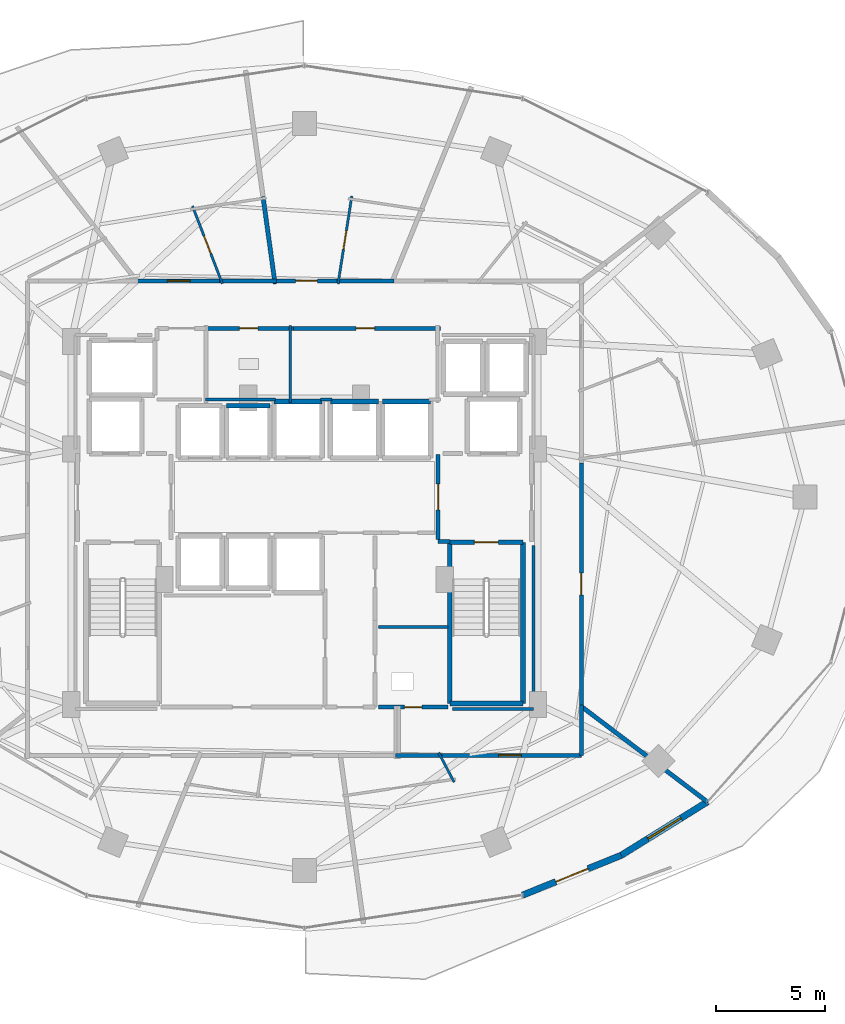
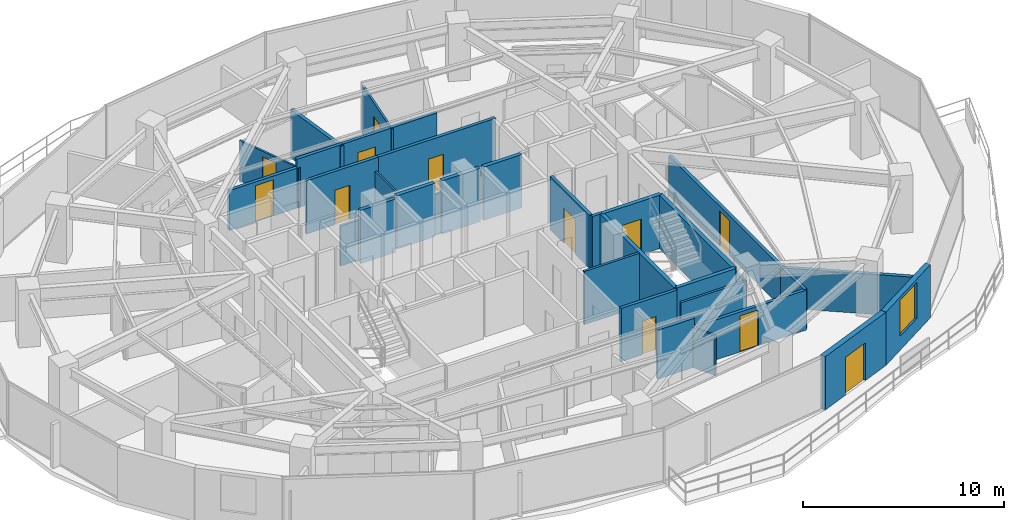
# One storey, part 24 of 30: 34 walls, 12 doors, 1 window, 13 openings.
"""IFC4 building model written with IfcOpenShell, lengths in metres."""

from ifc_helpers import new_model, si_unit, direction, frame, frame_2d, origin, place, context, subcontext, project, spatial, rectangle, extrude, material, layer, layer_set, type_object, element, fill, save


model = new_model("IFC4")

# Units and contexts
model_context = context("Model", 3, precision=1e-05, world=origin(), true_north=direction((0.0, 1.0)))
body_context = subcontext(model_context, "Body", "Model", "MODEL_VIEW")
ifc_project = project(units=[si_unit("LENGTHUNIT", "METRE"), si_unit("AREAUNIT", "SQUARE_METRE"), si_unit("VOLUMEUNIT", "CUBIC_METRE"), si_unit("PLANEANGLEUNIT", "RADIAN"), si_unit("MASSUNIT", "GRAM", prefix="KILO")], contexts=[model_context])

# Site, building, storey
site_placement = place(None, origin())
site = spatial("IfcSite", under=ifc_project, at=site_placement, CompositionType="ELEMENT")
building_placement = place(site_placement, origin())
building = spatial("IfcBuilding", under=site, at=building_placement, Name="Vorneva Point Tower", CompositionType="ELEMENT")
storey_placement = place(building_placement, frame((0.0, 0.0, 92.800048828125)))
storey = spatial("IfcBuildingStorey", under=building, at=storey_placement, Name="L24", CompositionType="ELEMENT", Elevation=92.800048828125)

# Wall, opening, door
ifc_material_1 = material(Name="Precast concrete B50 (C40/50)", Category="concrete")
ifc_layer_1 = layer(ifc_material_1, 0.300048828125)
ifc_layer_set_1 = layer_set([ifc_layer_1], Name="Precast concrete B50 (C40/50)")
wall_type_1 = type_object("IfcWallType", Name="WL-EXT-300", PredefinedType="STANDARD", material=ifc_layer_set_1)
wall_1_placement = place(storey_placement, frame((48.04541015625, 7.660888671875, 0.0), z_axis=(0.0, 0.0, 1.0), x_axis=(0.927122233109, 0.374759075775, 0.0)))
wall_1 = element("IfcWall", 1, at=wall_1_placement, inside=storey, type_object=wall_type_1, Name="L24 Pale-Metal Facade Spandrel Wall 14.1", PredefinedType="STANDARD", context=body_context, shape_type="SweptSolid", body=[
    extrude(rectangle(XDim=4.89501953125, YDim=0.300048828125, at=frame_2d((2.447509765625, 0.0))), origin(), (0.0, 0.0, 1.0), 3.239990234375),
])
opening_1_placement = place(wall_1_placement, frame((1.6474609375, 0.0, 0.0)))
opening_1 = element("IfcOpeningElement", 2, at=opening_1_placement, cuts=wall_1, Name="Opening BD-01", PredefinedType="OPENING", context=body_context, shape_type="SweptSolid", body=[
    extrude(rectangle(XDim=1.60009765625, YDim=2.300048828125, at=frame_2d((0.800048828125, 1.14990234375))), frame((0.0, 0.1650390625, 0.0), z_axis=(0.0, -1.0, 0.0), x_axis=(1.0, 0.0, 0.0)), (0.0, 0.0, 1.0), 0.329833984375),
])
ifc_material_2 = material(Name="Pale anodised aluminium", Category="aluminium")
door_type_1 = type_object("IfcDoorType", Name="DR-BAL-1600", OperationType="SLIDING_TO_LEFT", PredefinedType="DOOR", material=ifc_material_2)
door_1_placement = place(opening_1_placement, origin())
door_1 = element("IfcDoor", 3, at=door_1_placement, inside=storey, type_object=door_type_1, Name="L24 Balcony Terrace Access Door 14", OperationType="SLIDING_TO_LEFT", OverallHeight=2.300048828125, OverallWidth=1.60009765625, PredefinedType="DOOR", context=body_context, shape_type="SweptSolid", body=[
    extrude(rectangle(XDim=1.60009765625, YDim=2.300048828125, at=frame_2d((0.800048828125, 1.14990234375))), frame((0.0, 0.02490234375, 0.0), z_axis=(0.0, -1.0, 0.0), x_axis=(1.0, 0.0, 0.0)), (0.0, 0.0, 1.0), 0.050048828125),
])
fill(opening_1, door_1)

# Wall, opening, window
wall_2_placement = place(storey_placement, frame((52.583740234375, 9.495361328125, 0.0), z_axis=(0.0, 0.0, 1.0), x_axis=(0.849684479743, 0.527291461038, 0.0)))
wall_2 = element("IfcWall", 4, at=wall_2_placement, inside=storey, type_object=wall_type_1, Name="L24 Pale-Metal Facade Spandrel Wall 14.2", PredefinedType="STANDARD", context=body_context, shape_type="SweptSolid", body=[
    extrude(rectangle(XDim=4.681396484375, YDim=0.300048828125, at=frame_2d((2.3408203125, 0.0))), origin(), (0.0, 0.0, 1.0), 3.239990234375),
])
opening_2_placement = place(wall_2_placement, frame((1.44091796875, 0.0, 0.85009765625)))
opening_2 = element("IfcOpeningElement", 5, at=opening_2_placement, cuts=wall_2, Name="Opening W-01", PredefinedType="OPENING", context=body_context, shape_type="SweptSolid", body=[
    extrude(rectangle(XDim=1.800048828125, YDim=2.18994140625, at=frame_2d((0.89990234375, 1.094970703125))), frame((0.0, 0.1650390625, 0.0), z_axis=(0.0, -1.0, 0.0), x_axis=(1.0, 0.0, 0.0)), (0.0, 0.0, 1.0), 0.329833984375),
])
ifc_material_3 = material(Name="Double low-e laminated glass IGU", Category="glass")
window_type = type_object("IfcWindowType", Name="WN-LOG-1800", PartitioningType="SINGLE_PANEL", PredefinedType="WINDOW", material=ifc_material_3)
window_placement = place(opening_2_placement, origin())
window = element("IfcWindow", 6, at=window_placement, inside=storey, type_object=window_type, Name="L24 Facade Window 14", OverallHeight=2.18994140625, OverallWidth=1.800048828125, PartitioningType="SINGLE_PANEL", PredefinedType="WINDOW", context=body_context, shape_type="SweptSolid", body=[
    extrude(rectangle(XDim=1.800048828125, YDim=2.18994140625, at=frame_2d((0.89990234375, 1.094970703125))), frame((0.0, 0.030029296875, 0.0), z_axis=(0.0, -1.0, 0.0), x_axis=(1.0, 0.0, 0.0)), (0.0, 0.0, 1.0), 0.06005859375),
])
fill(opening_2, window)

# Wall
ifc_material_4 = material(Name="Fire-rated acoustic gypsum stud partition", Category="gypsum")
ifc_layer_2 = layer(ifc_material_4, 0.110107421875)
ifc_layer_set_2 = layer_set([ifc_layer_2], Name="Fire-rated acoustic gypsum stud partition")
wall_type_2 = type_object("IfcWallType", Name="WL-PART-110", PredefinedType="PARTITIONING", material=ifc_layer_set_2)
wall_3_placement = place(storey_placement, frame((37.35009765625, 30.340087890625, 0.0), z_axis=(0.0, 0.0, 1.0), x_axis=(0.0, 1.0, 0.0)))
element("IfcWall", 7, at=wall_3_placement, inside=storey, type_object=wall_type_2, Name="L24 Interior Partition 017", PredefinedType="PARTITIONING", context=body_context, shape_type="SweptSolid", body=[
    extrude(rectangle(XDim=3.559814453125, YDim=0.110107421875, at=frame_2d((1.77978515625, 0.0))), origin(), (0.0, 0.0, 1.0), 2.431884765625),
])

# Wall, opening, door
wall_4_placement = place(storey_placement, frame((39.542236328125, 35.811767578125, 0.0), z_axis=(0.0, 0.0, 1.0), x_axis=(0.155211191462, 0.98788131172, 0.0)))
wall_4 = element("IfcWall", 8, at=wall_4_placement, inside=storey, type_object=wall_type_2, Name="L24 Interior Partition 060", PredefinedType="PARTITIONING", context=body_context, shape_type="SweptSolid", body=[
    extrude(rectangle(XDim=4.088134765625, YDim=0.110107421875, at=frame_2d((2.0439453125, 0.0))), origin(), (0.0, 0.0, 1.0), 2.921875),
])
opening_3_placement = place(wall_4_placement, frame((1.619140625, 0.0, 0.0)))
opening_3 = element("IfcOpeningElement", 9, at=opening_3_placement, cuts=wall_4, Name="Opening ID-02", PredefinedType="OPENING", context=body_context, shape_type="SweptSolid", body=[
    extrude(rectangle(XDim=0.85009765625, YDim=2.10009765625, at=frame_2d((0.425048828125, 1.050048828125))), frame((0.0, 0.06982421875, 0.0), z_axis=(0.0, -1.0, 0.0), x_axis=(1.0, 0.0, 0.0)), (0.0, 0.0, 1.0), 0.139892578125),
])
ifc_material_5 = material(Name="Engineered oak fire-rated door leaf", Category="wood")
door_type_2 = type_object("IfcDoorType", Name="DR-BATH-850", OperationType="NOTDEFINED", PredefinedType="DOOR", material=ifc_material_5)
door_2_placement = place(opening_3_placement, origin())
door_2 = element("IfcDoor", 10, at=door_2_placement, inside=storey, type_object=door_type_2, Name="L24 Door Twin Guest Room L24-03 / En-Suite Bathroom L24-03", OperationType="SINGLE_SWING_RIGHT", OverallHeight=2.10009765625, OverallWidth=0.85009765625, PredefinedType="DOOR", context=body_context, shape_type="SweptSolid", body=[
    extrude(rectangle(XDim=0.85009765625, YDim=2.10009765625, at=frame_2d((0.425048828125, 1.050048828125))), frame((0.0, 0.02490234375, 0.0), z_axis=(0.0, -1.0, 0.0), x_axis=(1.0, 0.0, 0.0)), (0.0, 0.0, 1.0), 0.050048828125),
])
fill(opening_3, door_2)

wall_5_placement = place(storey_placement, frame((34.21630859375, 35.8193359375, 0.0), z_axis=(0.0, 0.0, 1.0), x_axis=(-0.359516562862, 0.933138704067, 0.0)))
wall_5 = element("IfcWall", 11, at=wall_5_placement, inside=storey, type_object=wall_type_2, Name="L24 Interior Partition 063", PredefinedType="PARTITIONING", context=body_context, shape_type="SweptSolid", body=[
    extrude(rectangle(XDim=3.834716796875, YDim=0.110107421875, at=frame_2d((1.91748046875, 0.0))), origin(), (0.0, 0.0, 1.0), 2.431884765625),
])
opening_4_placement = place(wall_5_placement, frame((1.4921875, 0.0, 0.0)))
opening_4 = element("IfcOpeningElement", 12, at=opening_4_placement, cuts=wall_5, Name="Opening ID-02", PredefinedType="OPENING", context=body_context, shape_type="SweptSolid", body=[
    extrude(rectangle(XDim=0.85009765625, YDim=2.10009765625, at=frame_2d((0.425048828125, 1.050048828125))), frame((0.0, 0.06982421875, 0.0), z_axis=(0.0, -1.0, 0.0), x_axis=(1.0, 0.0, 0.0)), (0.0, 0.0, 1.0), 0.139892578125),
])
door_3_placement = place(opening_4_placement, origin())
door_3 = element("IfcDoor", 13, at=door_3_placement, inside=storey, type_object=door_type_2, Name="L24 Door Junior Suite L24-04 / En-Suite Bathroom L24-04", OperationType="SINGLE_SWING_LEFT", OverallHeight=2.10009765625, OverallWidth=0.85009765625, PredefinedType="DOOR", context=body_context, shape_type="SweptSolid", body=[
    extrude(rectangle(XDim=0.85009765625, YDim=2.10009765625, at=frame_2d((0.425048828125, 1.050048828125))), frame((0.0, 0.02490234375, 0.0), z_axis=(0.0, -1.0, 0.0), x_axis=(1.0, 0.0, 0.0)), (0.0, 0.0, 1.0), 0.050048828125),
])
fill(opening_4, door_3)

# Walls
wall_6_placement = place(storey_placement, frame((44.176025390625, 14.22412109375, 0.0), z_axis=(0.0, 0.0, 1.0), x_axis=(0.464262791375, -0.885697499457, 0.0)))
element("IfcWall", 14, at=wall_6_placement, inside=storey, type_object=wall_type_2, Name="L24 Interior Partition 084", PredefinedType="PARTITIONING", context=body_context, shape_type="SweptSolid", body=[
    extrude(rectangle(XDim=1.533447265625, YDim=0.110107421875, at=frame_2d((0.7666015625, 0.0))), origin(), (0.0, 0.0, 1.0), 2.431884765625),
])
ifc_layer_3 = layer(ifc_material_4, 0.139892578125)
ifc_layer_set_3 = layer_set([ifc_layer_3], Name="Fire-rated acoustic gypsum stud partition")
wall_type_3 = type_object("IfcWallType", Name="WL-PART-140", PredefinedType="PARTITIONING", material=ifc_layer_set_3)
wall_7_placement = place(storey_placement, frame((44.60009765625, 20.0, 0.0), z_axis=(0.0, 0.0, 1.0), x_axis=(-1.0, 0.0, 0.0)))
element("IfcWall", 15, at=wall_7_placement, inside=storey, type_object=wall_type_3, Name="L24 Interior Partition 015", PredefinedType="PARTITIONING", context=body_context, shape_type="SweptSolid", body=[
    extrude(rectangle(XDim=3.2001953125, YDim=0.139892578125, at=frame_2d((1.60009765625, 0.0))), origin(), (0.0, 0.0, 1.0), 3.239990234375),
])
wall_8_placement = place(storey_placement, frame((33.43994140625, 30.47998046875, 0.0), z_axis=(0.0, 0.0, 1.0), x_axis=(1.0, 0.0, 0.0)))
element("IfcWall", 16, at=wall_8_placement, inside=storey, type_object=wall_type_3, Name="L24 Interior Closure Partition 089", PredefinedType="PARTITIONING", context=body_context, shape_type="SweptSolid", body=[
    extrude(rectangle(XDim=3.22509765625, YDim=0.139892578125, at=frame_2d((1.612548828125, 0.0))), origin(), (0.0, 0.0, 1.0), 2.431884765625),
])
wall_9_placement = place(storey_placement, frame((38.735107421875, 30.47998046875, 0.0), z_axis=(0.0, 0.0, 1.0), x_axis=(1.0, 0.0, 0.0)))
element("IfcWall", 17, at=wall_9_placement, inside=storey, type_object=wall_type_3, Name="L24 Interior Closure Partition 090", PredefinedType="PARTITIONING", context=body_context, shape_type="SweptSolid", body=[
    extrude(rectangle(XDim=0.52978515625, YDim=0.139892578125, at=frame_2d((0.264892578125, 0.0))), origin(), (0.0, 0.0, 1.0), 2.431884765625),
])
wall_10_placement = place(storey_placement, frame((48.550048828125, 23.75390625, 0.0), z_axis=(0.0, 0.0, 1.0), x_axis=(0.0, -1.0, 0.0)))
element("IfcWall", 18, at=wall_10_placement, inside=storey, type_object=wall_type_3, Name="L24 Interior Closure Partition 096", PredefinedType="PARTITIONING", context=body_context, shape_type="SweptSolid", body=[
    extrude(rectangle(XDim=7.513916015625, YDim=0.139892578125, at=frame_2d((3.7568359375, 0.0))), origin(), (0.0, 0.0, 1.0), 2.431884765625),
])
wall_11_placement = place(storey_placement, frame((48.550048828125, 16.239990234375, 0.0), z_axis=(0.0, 0.0, 1.0), x_axis=(-1.0, 0.0, 0.0)))
element("IfcWall", 19, at=wall_11_placement, inside=storey, type_object=wall_type_3, Name="L24 Interior Closure Partition 097", PredefinedType="PARTITIONING", context=body_context, shape_type="SweptSolid", body=[
    extrude(rectangle(XDim=3.7451171875, YDim=0.139892578125, at=frame_2d((1.87255859375, 0.0))), origin(), (0.0, 0.0, 1.0), 2.431884765625),
])

# Wall, opening, door
ifc_material_6 = material(Name="Autoclaved aerated concrete blockwork", Category="masonry")
ifc_layer_4 = layer(ifc_material_6, 0.179931640625)
ifc_layer_set_4 = layer_set([ifc_layer_4], Name="Autoclaved aerated concrete blockwork")
wall_type_4 = type_object("IfcWallType", Name="WL-PART-180", PredefinedType="PARTITIONING", material=ifc_layer_set_4)
wall_12_placement = place(storey_placement, frame((44.14990234375, 27.955078125, 0.0), z_axis=(0.0, 0.0, 1.0), x_axis=(0.0, -1.0, 0.0)))
wall_12 = element("IfcWall", 20, at=wall_12_placement, inside=storey, type_object=wall_type_4, Name="L24 Interior Partition 003", PredefinedType="PARTITIONING", context=body_context, shape_type="SweptSolid", body=[
    extrude(rectangle(XDim=3.91015625, YDim=0.179931640625, at=frame_2d((1.955078125, 0.0))), origin(), (0.0, 0.0, 1.0), 3.239990234375),
])
opening_5_placement = place(wall_12_placement, frame((1.35498046875, 0.0, 0.0)))
opening_5 = element("IfcOpeningElement", 21, at=opening_5_placement, cuts=wall_12, Name="Opening FD-02", PredefinedType="OPENING", context=body_context, shape_type="SweptSolid", body=[
    extrude(rectangle(XDim=1.199951171875, YDim=2.14990234375, at=frame_2d((0.60009765625, 1.074951171875))), frame((0.0, 0.10498046875, 0.0), z_axis=(0.0, -1.0, 0.0), x_axis=(1.0, 0.0, 0.0)), (0.0, 0.0, 1.0), 0.209716796875),
])
ifc_material_7 = material(Name="Fire-rated powder-coated steel", Category="steel")
door_type_3 = type_object("IfcDoorType", Name="DR-FFL-1200", OperationType="NOTDEFINED", PredefinedType="DOOR", material=ifc_material_7)
door_4_placement = place(opening_5_placement, origin())
door_4 = element("IfcDoor", 22, at=door_4_placement, inside=storey, type_object=door_type_3, Name="L24 Door East Firefighting Lobby / Central Lift Lobby", OperationType="SINGLE_SWING_LEFT", OverallHeight=2.14990234375, OverallWidth=1.199951171875, PredefinedType="DOOR", context=body_context, shape_type="SweptSolid", body=[
    extrude(rectangle(XDim=1.199951171875, YDim=2.14990234375, at=frame_2d((0.60009765625, 1.074951171875))), frame((0.0, 0.02490234375, 0.0), z_axis=(0.0, -1.0, 0.0), x_axis=(1.0, 0.0, 0.0)), (0.0, 0.0, 1.0), 0.050048828125),
])
fill(opening_5, door_4)

# Wall
wall_13_placement = place(storey_placement, frame((44.14990234375, 23.949951171875, 0.0), z_axis=(0.0, 0.0, 1.0), x_axis=(1.0, 0.0, 0.0)))
element("IfcWall", 23, at=wall_13_placement, inside=storey, type_object=wall_type_4, Name="L24 Interior Partition 004", PredefinedType="PARTITIONING", context=body_context, shape_type="SweptSolid", body=[
    extrude(rectangle(XDim=0.5400390625, YDim=0.179931640625, at=frame_2d((0.27001953125, 0.0))), origin(), (0.0, 0.0, 1.0), 3.239990234375),
])

# Wall, opening, door
wall_14_placement = place(storey_placement, frame((41.39990234375, 16.320068359375, 0.0), z_axis=(0.0, 0.0, 1.0), x_axis=(1.0, 0.0, 0.0)))
wall_14 = element("IfcWall", 24, at=wall_14_placement, inside=storey, type_object=wall_type_4, Name="L24 Interior Partition 016", PredefinedType="PARTITIONING", context=body_context, shape_type="SweptSolid", body=[
    extrude(rectangle(XDim=3.2001953125, YDim=0.179931640625, at=frame_2d((1.60009765625, 0.0))), origin(), (0.0, 0.0, 1.0), 3.239990234375),
])
opening_6_placement = place(wall_14_placement, frame((1.199951171875, 0.0, 0.0)))
opening_6 = element("IfcOpeningElement", 25, at=opening_6_placement, cuts=wall_14, Name="Opening RD-01", PredefinedType="OPENING", context=body_context, shape_type="SweptSolid", body=[
    extrude(rectangle(XDim=0.800048828125, YDim=2.050048828125, at=frame_2d((0.39990234375, 1.02490234375))), frame((0.0, 0.10498046875, 0.0), z_axis=(0.0, -1.0, 0.0), x_axis=(1.0, 0.0, 0.0)), (0.0, 0.0, 1.0), 0.209716796875),
])
door_type_4 = type_object("IfcDoorType", Name="DR-RSR-800", OperationType="SINGLE_SWING_LEFT", PredefinedType="DOOR", material=ifc_material_7)
door_5_placement = place(opening_6_placement, origin())
door_5 = element("IfcDoor", 26, at=door_5_placement, inside=storey, type_object=door_type_4, Name="L24 Door Electrical Riser / L24 Circulation Corridor", OperationType="SINGLE_SWING_RIGHT", OverallHeight=2.050048828125, OverallWidth=0.800048828125, PredefinedType="DOOR", context=body_context, shape_type="SweptSolid", body=[
    extrude(rectangle(XDim=0.800048828125, YDim=2.050048828125, at=frame_2d((0.39990234375, 1.02490234375))), frame((0.0, 0.02490234375, 0.0), z_axis=(0.0, -1.0, 0.0), x_axis=(1.0, 0.0, 0.0)), (0.0, 0.0, 1.0), 0.050048828125),
])
fill(opening_6, door_5)

wall_15_placement = place(storey_placement, frame((37.489990234375, 33.760009765625, 0.0), z_axis=(0.0, 0.0, 1.0), x_axis=(-1.0, 0.0, 0.0)))
wall_15 = element("IfcWall", 27, at=wall_15_placement, inside=storey, type_object=wall_type_4, Name="L24 Interior Partition 018", PredefinedType="PARTITIONING", context=body_context, shape_type="SweptSolid", body=[
    extrude(rectangle(XDim=4.1298828125, YDim=0.179931640625, at=frame_2d((2.06494140625, 0.0))), origin(), (0.0, 0.0, 1.0), 3.239990234375),
])
opening_7_placement = place(wall_15_placement, frame((1.639892578125, 0.0, 0.0)))
opening_7 = element("IfcOpeningElement", 28, at=opening_7_placement, cuts=wall_15, Name="Opening ID-02", PredefinedType="OPENING", context=body_context, shape_type="SweptSolid", body=[
    extrude(rectangle(XDim=0.85009765625, YDim=2.10009765625, at=frame_2d((0.425048828125, 1.050048828125))), frame((0.0, 0.10498046875, 0.0), z_axis=(0.0, -1.0, 0.0), x_axis=(1.0, 0.0, 0.0)), (0.0, 0.0, 1.0), 0.209716796875),
])
door_6_placement = place(opening_7_placement, origin())
door_6 = element("IfcDoor", 29, at=door_6_placement, inside=storey, type_object=door_type_2, Name="L24 Door Accessible WC / L24 Circulation Corridor", OperationType="SINGLE_SWING_LEFT", OverallHeight=2.10009765625, OverallWidth=0.85009765625, PredefinedType="DOOR", context=body_context, shape_type="SweptSolid", body=[
    extrude(rectangle(XDim=0.85009765625, YDim=2.10009765625, at=frame_2d((0.425048828125, 1.050048828125))), frame((0.0, 0.02490234375, 0.0), z_axis=(0.0, -1.0, 0.0), x_axis=(1.0, 0.0, 0.0)), (0.0, 0.0, 1.0), 0.050048828125),
])
fill(opening_7, door_6)

wall_16_placement = place(storey_placement, frame((44.260009765625, 33.760009765625, 0.0), z_axis=(0.0, 0.0, 1.0), x_axis=(-1.0, 0.0, 0.0)))
wall_16 = element("IfcWall", 30, at=wall_16_placement, inside=storey, type_object=wall_type_4, Name="L24 Interior Partition 019", PredefinedType="PARTITIONING", context=body_context, shape_type="SweptSolid", body=[
    extrude(rectangle(XDim=6.909912109375, YDim=0.179931640625, at=frame_2d((3.455078125, 0.0))), origin(), (0.0, 0.0, 1.0), 3.239990234375),
])
opening_8_placement = place(wall_16_placement, frame((3.030029296875, 0.0, 0.0)))
opening_8 = element("IfcOpeningElement", 31, at=opening_8_placement, cuts=wall_16, Name="Opening ID-02", PredefinedType="OPENING", context=body_context, shape_type="SweptSolid", body=[
    extrude(rectangle(XDim=0.85009765625, YDim=2.10009765625, at=frame_2d((0.425048828125, 1.050048828125))), frame((0.0, 0.10498046875, 0.0), z_axis=(0.0, -1.0, 0.0), x_axis=(1.0, 0.0, 0.0)), (0.0, 0.0, 1.0), 0.209716796875),
])
door_7_placement = place(opening_8_placement, origin())
door_7 = element("IfcDoor", 32, at=door_7_placement, inside=storey, type_object=door_type_2, Name="L24 Door Public Restroom / L24 Circulation Corridor", OperationType="SINGLE_SWING_RIGHT", OverallHeight=2.10009765625, OverallWidth=0.85009765625, PredefinedType="DOOR", context=body_context, shape_type="SweptSolid", body=[
    extrude(rectangle(XDim=0.85009765625, YDim=2.10009765625, at=frame_2d((0.425048828125, 1.050048828125))), frame((0.0, 0.02490234375, 0.0), z_axis=(0.0, -1.0, 0.0), x_axis=(1.0, 0.0, 0.0)), (0.0, 0.0, 1.0), 0.050048828125),
])
fill(opening_8, door_7)

wall_17_placement = place(storey_placement, frame((39.625, 35.949951171875, 0.0), z_axis=(0.0, 0.0, 1.0), x_axis=(-1.0, 0.0, 0.0)))
wall_17 = element("IfcWall", 33, at=wall_17_placement, inside=storey, type_object=wall_type_4, Name="L24 Interior Partition 026", PredefinedType="PARTITIONING", context=body_context, shape_type="SweptSolid", body=[
    extrude(rectangle(XDim=3.06201171875, YDim=0.179931640625, at=frame_2d((1.531005859375, 0.0))), origin(), (0.0, 0.0, 1.0), 2.971923828125),
])
opening_9_placement = place(wall_17_placement, frame((1.031005859375, 0.0, 0.0)))
opening_9 = element("IfcOpeningElement", 34, at=opening_9_placement, cuts=wall_17, Name="Opening UD-01", PredefinedType="OPENING", context=body_context, shape_type="SweptSolid", body=[
    extrude(rectangle(XDim=1.0, YDim=2.14990234375, at=frame_2d((0.5, 1.074951171875))), frame((0.0, 0.10498046875, 0.0), z_axis=(0.0, -1.0, 0.0), x_axis=(1.0, 0.0, 0.0)), (0.0, 0.0, 1.0), 0.209716796875),
])
door_type_5 = type_object("IfcDoorType", Name="DR-UNIT-1000", OperationType="NOTDEFINED", PredefinedType="DOOR", material=ifc_material_5)
door_8_placement = place(opening_9_placement, origin())
door_8 = element("IfcDoor", 35, at=door_8_placement, inside=storey, type_object=door_type_5, Name="L24 Door L24 Circulation Corridor / Twin Guest Room L24-03", OperationType="SINGLE_SWING_RIGHT", OverallHeight=2.14990234375, OverallWidth=1.0, PredefinedType="DOOR", context=body_context, shape_type="SweptSolid", body=[
    extrude(rectangle(XDim=1.0, YDim=2.14990234375, at=frame_2d((0.5, 1.074951171875))), frame((0.0, 0.02490234375, 0.0), z_axis=(0.0, -1.0, 0.0), x_axis=(1.0, 0.0, 0.0)), (0.0, 0.0, 1.0), 0.050048828125),
])
fill(opening_9, door_8)

# Wall
wall_18_placement = place(storey_placement, frame((42.1279296875, 35.949951171875, 0.0), z_axis=(0.0, 0.0, 1.0), x_axis=(-1.0, 0.0, 0.0)))
element("IfcWall", 36, at=wall_18_placement, inside=storey, type_object=wall_type_4, Name="L24 Interior Partition 027", PredefinedType="PARTITIONING", context=body_context, shape_type="SweptSolid", body=[
    extrude(rectangle(XDim=2.642822265625, YDim=0.179931640625, at=frame_2d((1.3212890625, 0.0))), origin(), (0.0, 0.0, 1.0), 2.971923828125),
])

# Wall, opening, door
wall_19_placement = place(storey_placement, frame((34.22607421875, 35.949951171875, 0.0), z_axis=(0.0, 0.0, 1.0), x_axis=(-1.0, 0.0, 0.0)))
wall_19 = element("IfcWall", 37, at=wall_19_placement, inside=storey, type_object=wall_type_4, Name="L24 Interior Partition 028", PredefinedType="PARTITIONING", context=body_context, shape_type="SweptSolid", body=[
    extrude(rectangle(XDim=4.0390625, YDim=0.179931640625, at=frame_2d((2.01953125, 0.0))), origin(), (0.0, 0.0, 1.0), 2.431884765625),
])
opening_10_placement = place(wall_19_placement, frame((1.494384765625, 0.0, 0.0)))
opening_10 = element("IfcOpeningElement", 38, at=opening_10_placement, cuts=wall_19, Name="Opening UD-02", PredefinedType="OPENING", context=body_context, shape_type="SweptSolid", body=[
    extrude(rectangle(XDim=1.050048828125, YDim=2.199951171875, at=frame_2d((0.52490234375, 1.10009765625))), frame((0.0, 0.10498046875, 0.0), z_axis=(0.0, -1.0, 0.0), x_axis=(1.0, 0.0, 0.0)), (0.0, 0.0, 1.0), 0.209716796875),
])
door_type_6 = type_object("IfcDoorType", Name="DR-SUITE-1050", OperationType="NOTDEFINED", PredefinedType="DOOR", material=ifc_material_5)
door_9_placement = place(opening_10_placement, origin())
door_9 = element("IfcDoor", 39, at=door_9_placement, inside=storey, type_object=door_type_6, Name="L24 Door L24 Circulation Corridor / Junior Suite L24-04", OperationType="SINGLE_SWING_LEFT", OverallHeight=2.199951171875, OverallWidth=1.050048828125, PredefinedType="DOOR", context=body_context, shape_type="SweptSolid", body=[
    extrude(rectangle(XDim=1.050048828125, YDim=2.199951171875, at=frame_2d((0.52490234375, 1.10009765625))), frame((0.0, 0.02490234375, 0.0), z_axis=(0.0, -1.0, 0.0), x_axis=(1.0, 0.0, 0.0)), (0.0, 0.0, 1.0), 0.050048828125),
])
fill(opening_10, door_9)

# Wall
wall_20_placement = place(storey_placement, frame((36.702880859375, 35.949951171875, 0.0), z_axis=(0.0, 0.0, 1.0), x_axis=(-1.0, 0.0, 0.0)))
element("IfcWall", 40, at=wall_20_placement, inside=storey, type_object=wall_type_4, Name="L24 Interior Partition 029", PredefinedType="PARTITIONING", context=body_context, shape_type="SweptSolid", body=[
    extrude(rectangle(XDim=2.616943359375, YDim=0.179931640625, at=frame_2d((1.30859375, 0.0))), origin(), (0.0, 0.0, 1.0), 2.971923828125),
])

# Wall, opening, door
wall_21_placement = place(storey_placement, frame((44.180908203125, 14.10009765625, 0.0), z_axis=(0.0, 0.0, 1.0), x_axis=(1.0, 0.0, 0.0)))
wall_21 = element("IfcWall", 41, at=wall_21_placement, inside=storey, type_object=wall_type_4, Name="L24 Interior Partition 042", PredefinedType="PARTITIONING", context=body_context, shape_type="SweptSolid", body=[
    extrude(rectangle(XDim=6.569091796875, YDim=0.179931640625, at=frame_2d((3.28466796875, 0.0))), origin(), (0.0, 0.0, 1.0), 2.431884765625),
])
opening_11_placement = place(wall_21_placement, frame((2.759521484375, 0.0, 0.0)))
opening_11 = element("IfcOpeningElement", 42, at=opening_11_placement, cuts=wall_21, Name="Opening UD-02", PredefinedType="OPENING", context=body_context, shape_type="SweptSolid", body=[
    extrude(rectangle(XDim=1.050048828125, YDim=2.199951171875, at=frame_2d((0.52490234375, 1.10009765625))), frame((0.0, 0.10498046875, 0.0), z_axis=(0.0, -1.0, 0.0), x_axis=(1.0, 0.0, 0.0)), (0.0, 0.0, 1.0), 0.209716796875),
])
door_10_placement = place(opening_11_placement, origin())
door_10 = element("IfcDoor", 43, at=door_10_placement, inside=storey, type_object=door_type_6, Name="L24 Door L24 Circulation Corridor / Junior Suite L24-10", OperationType="SINGLE_SWING_LEFT", OverallHeight=2.199951171875, OverallWidth=1.050048828125, PredefinedType="DOOR", context=body_context, shape_type="SweptSolid", body=[
    extrude(rectangle(XDim=1.050048828125, YDim=2.199951171875, at=frame_2d((0.52490234375, 1.10009765625))), frame((0.0, 0.02490234375, 0.0), z_axis=(0.0, -1.0, 0.0), x_axis=(1.0, 0.0, 0.0)), (0.0, 0.0, 1.0), 0.050048828125),
])
fill(opening_11, door_10)

# Walls
wall_22_placement = place(storey_placement, frame((50.75, 14.10009765625, 0.0), z_axis=(0.0, 0.0, 1.0), x_axis=(0.0, 1.0, 0.0)))
element("IfcWall", 44, at=wall_22_placement, inside=storey, type_object=wall_type_4, Name="L24 Interior Partition 043", PredefinedType="PARTITIONING", context=body_context, shape_type="SweptSolid", body=[
    extrude(rectangle(XDim=2.308837890625, YDim=0.179931640625, at=frame_2d((1.154296875, 0.0))), origin(), (0.0, 0.0, 1.0), 2.431884765625),
])
wall_23_placement = place(storey_placement, frame((42.199951171875, 14.10009765625, 0.0), z_axis=(0.0, 0.0, 1.0), x_axis=(1.0, 0.0, 0.0)))
element("IfcWall", 45, at=wall_23_placement, inside=storey, type_object=wall_type_4, Name="L24 Interior Partition 045", PredefinedType="PARTITIONING", context=body_context, shape_type="SweptSolid", body=[
    extrude(rectangle(XDim=2.12109375, YDim=0.179931640625, at=frame_2d((1.060546875, 0.0))), origin(), (0.0, 0.0, 1.0), 2.971923828125),
])

# Wall, opening, door
wall_24_placement = place(storey_placement, frame((50.75, 16.408935546875, 0.0), z_axis=(0.0, 0.0, 1.0), x_axis=(0.0, 1.0, 0.0)))
wall_24 = element("IfcWall", 46, at=wall_24_placement, inside=storey, type_object=wall_type_4, Name="L24 Interior Partition 048", PredefinedType="PARTITIONING", context=body_context, shape_type="SweptSolid", body=[
    extrude(rectangle(XDim=11.155029296875, YDim=0.179931640625, at=frame_2d((5.57763671875, 0.0))), origin(), (0.0, 0.0, 1.0), 2.431884765625),
])
opening_12_placement = place(wall_24_placement, frame((5.077392578125, 0.0, 0.0)))
opening_12 = element("IfcOpeningElement", 47, at=opening_12_placement, cuts=wall_24, Name="Opening UD-01", PredefinedType="OPENING", context=body_context, shape_type="SweptSolid", body=[
    extrude(rectangle(XDim=1.0, YDim=2.14990234375, at=frame_2d((0.5, 1.074951171875))), frame((0.0, 0.10498046875, 0.0), z_axis=(0.0, -1.0, 0.0), x_axis=(1.0, 0.0, 0.0)), (0.0, 0.0, 1.0), 0.209716796875),
])
door_11_placement = place(opening_12_placement, origin())
door_11 = element("IfcDoor", 48, at=door_11_placement, inside=storey, type_object=door_type_5, Name="L24 Door L24 Circulation Corridor / Executive Meeting Room L24-11", OperationType="SINGLE_SWING_RIGHT", OverallHeight=2.14990234375, OverallWidth=1.0, PredefinedType="DOOR", context=body_context, shape_type="SweptSolid", body=[
    extrude(rectangle(XDim=1.0, YDim=2.14990234375, at=frame_2d((0.5, 1.074951171875))), frame((0.0, 0.02490234375, 0.0), z_axis=(0.0, -1.0, 0.0), x_axis=(1.0, 0.0, 0.0)), (0.0, 0.0, 1.0), 0.050048828125),
])
fill(opening_12, door_11)

# Walls
ifc_layer_5 = layer(ifc_material_6, 0.199951171875)
ifc_layer_set_5 = layer_set([ifc_layer_5], Name="Autoclaved aerated concrete blockwork")
wall_type_5 = type_object("IfcWallType", Name="WL-PART-200", PredefinedType="PARTITIONING", material=ifc_layer_set_5)
wall_25_placement = place(storey_placement, frame((36.08740234375, 39.82861328125, 0.0), z_axis=(0.0, 0.0, 1.0), x_axis=(0.137071274589, -0.990561187248, 0.0)))
element("IfcWall", 49, at=wall_25_placement, inside=storey, type_object=wall_type_5, Name="L24 Interior Partition 062", PredefinedType="PARTITIONING", context=body_context, shape_type="SweptSolid", body=[
    extrude(rectangle(XDim=4.0556640625, YDim=0.199951171875, at=frame_2d((2.02783203125, 0.0))), origin(), (0.0, 0.0, 1.0), 2.921875),
])
wall_26_placement = place(storey_placement, frame((56.548095703125, 11.9599609375, 0.0), z_axis=(0.0, 0.0, 1.0), x_axis=(-0.797312940684, 0.603566131105, 0.0)))
element("IfcWall", 50, at=wall_26_placement, inside=storey, type_object=wall_type_5, Name="L24 Interior Partition 085", PredefinedType="PARTITIONING", context=body_context, shape_type="SweptSolid", body=[
    extrude(rectangle(XDim=7.27197265625, YDim=0.199951171875, at=frame_2d((3.635986328125, 0.0))), origin(), (0.0, 0.0, 1.0), 2.431884765625),
])

# Wall, opening, door
ifc_material_8 = material(Name="Concrete B50 (C40/50)", Category="concrete")
ifc_layer_6 = layer(ifc_material_8, 0.219970703125)
ifc_layer_set_6 = layer_set([ifc_layer_6], Name="Concrete B50 (C40/50)")
wall_type_6 = type_object("IfcWallType", Name="WL-SHFT-220", PredefinedType="SOLIDWALL", material=ifc_layer_set_6)
wall_27_placement = place(storey_placement, frame((44.68994140625, 23.909912109375, 0.0), z_axis=(0.0, 0.0, 1.0), x_axis=(1.0, 0.0, 0.0)))
wall_27 = element("IfcWall", 51, at=wall_27_placement, inside=storey, type_object=wall_type_6, Name="L24 Exit Stair ST2 Shaft Wall near", PredefinedType="SOLIDWALL", context=body_context, shape_type="SweptSolid", body=[
    extrude(rectangle(XDim=3.3701171875, YDim=0.219970703125, at=frame_2d((1.68505859375, 0.0))), origin(), (0.0, 0.0, 1.0), 3.239990234375),
])
opening_13_placement = place(wall_27_placement, frame((1.135009765625, 0.0, 0.0)))
opening_13 = element("IfcOpeningElement", 52, at=opening_13_placement, cuts=wall_27, Name="Opening FD-01", PredefinedType="OPENING", context=body_context, shape_type="SweptSolid", body=[
    extrude(rectangle(XDim=1.10009765625, YDim=2.14990234375, at=frame_2d((0.550048828125, 1.074951171875))), frame((0.0, 0.125, 0.0), z_axis=(0.0, -1.0, 0.0), x_axis=(1.0, 0.0, 0.0)), (0.0, 0.0, 1.0), 0.249755859375),
])
door_type_7 = type_object("IfcDoorType", Name="DR-STAIR-1100", OperationType="NOTDEFINED", PredefinedType="DOOR", material=ifc_material_7)
door_12_placement = place(opening_13_placement, origin())
door_12 = element("IfcDoor", 53, at=door_12_placement, inside=storey, type_object=door_type_7, Name="L24 Exit Stair ST2 Fire Door", OperationType="SINGLE_SWING_LEFT", OverallHeight=2.14990234375, OverallWidth=1.10009765625, PredefinedType="DOOR", context=body_context, shape_type="SweptSolid", body=[
    extrude(rectangle(XDim=1.10009765625, YDim=2.14990234375, at=frame_2d((0.550048828125, 1.074951171875))), frame((0.0, 0.02490234375, 0.0), z_axis=(0.0, -1.0, 0.0), x_axis=(1.0, 0.0, 0.0)), (0.0, 0.0, 1.0), 0.050048828125),
])
fill(opening_13, door_12)

# Walls
wall_28_placement = place(storey_placement, frame((48.06005859375, 23.909912109375, 0.0), z_axis=(0.0, 0.0, 1.0), x_axis=(0.0, -1.0, 0.0)))
element("IfcWall", 54, at=wall_28_placement, inside=storey, type_object=wall_type_6, Name="L24 Exit Stair ST2 Shaft Wall right", PredefinedType="SOLIDWALL", context=body_context, shape_type="SweptSolid", body=[
    extrude(rectangle(XDim=7.419921875, YDim=0.219970703125, at=frame_2d((3.7099609375, 0.0))), origin(), (0.0, 0.0, 1.0), 3.239990234375),
])
wall_29_placement = place(storey_placement, frame((48.06005859375, 16.489990234375, 0.0), z_axis=(0.0, 0.0, 1.0), x_axis=(-1.0, 0.0, 0.0)))
element("IfcWall", 55, at=wall_29_placement, inside=storey, type_object=wall_type_6, Name="L24 Exit Stair ST2 Shaft Wall far", PredefinedType="SOLIDWALL", context=body_context, shape_type="SweptSolid", body=[
    extrude(rectangle(XDim=3.3701171875, YDim=0.219970703125, at=frame_2d((1.68505859375, 0.0))), origin(), (0.0, 0.0, 1.0), 3.239990234375),
])
wall_30_placement = place(storey_placement, frame((44.68994140625, 16.489990234375, 0.0), z_axis=(0.0, 0.0, 1.0), x_axis=(0.0, 1.0, 0.0)))
element("IfcWall", 56, at=wall_30_placement, inside=storey, type_object=wall_type_6, Name="L24 Exit Stair ST2 Shaft Wall left", PredefinedType="SOLIDWALL", context=body_context, shape_type="SweptSolid", body=[
    extrude(rectangle(XDim=7.419921875, YDim=0.219970703125, at=frame_2d((3.7099609375, 0.0))), origin(), (0.0, 0.0, 1.0), 3.239990234375),
])
wall_31_placement = place(storey_placement, frame((36.39990234375, 30.199951171875, 0.0), z_axis=(0.0, 0.0, 1.0), x_axis=(-1.0, 0.0, 0.0)))
element("IfcWall", 57, at=wall_31_placement, inside=storey, type_object=wall_type_6, Name="L24 Lift PL2 Shaft Wall +Y", PredefinedType="SOLIDWALL", context=body_context, shape_type="SweptSolid", body=[
    extrude(rectangle(XDim=2.0, YDim=0.219970703125, at=frame_2d((1.0, 0.0))), origin(), (0.0, 0.0, 1.0), 3.239990234375),
])
for number, where, z_axis, x_axis, name in (
    (58, (38.800048828125, 30.39990234375, 0.0), (0.0, 0.0, 1.0), (-1.0, 0.0, 0.0), "L24 Lift PL3 Shaft Wall +Y"),
    (59, (41.39990234375, 30.39990234375, 0.0), (0.0, 0.0, 1.0), (-1.0, 0.0, 0.0), "L24 Lift PL7 Shaft Wall +Y"),
    (60, (43.800048828125, 30.39990234375, 0.0), (0.0, 0.0, 1.0), (-1.0, 0.0, 0.0), "L24 Lift PL8 Shaft Wall +Y"),
):
    element("IfcWall", number, at=place(storey_placement, frame(where, z_axis=z_axis, x_axis=x_axis)), inside=storey, type_object=wall_type_6, Name=name, PredefinedType="SOLIDWALL", context=body_context, shape_type="SweptSolid", body=[
        extrude(rectangle(XDim=2.199951171875, YDim=0.219970703125, at=frame_2d((1.10009765625, 0.0))), origin(), (0.0, 0.0, 1.0), 3.239990234375),
    ])

save(model, "model.ifc")
